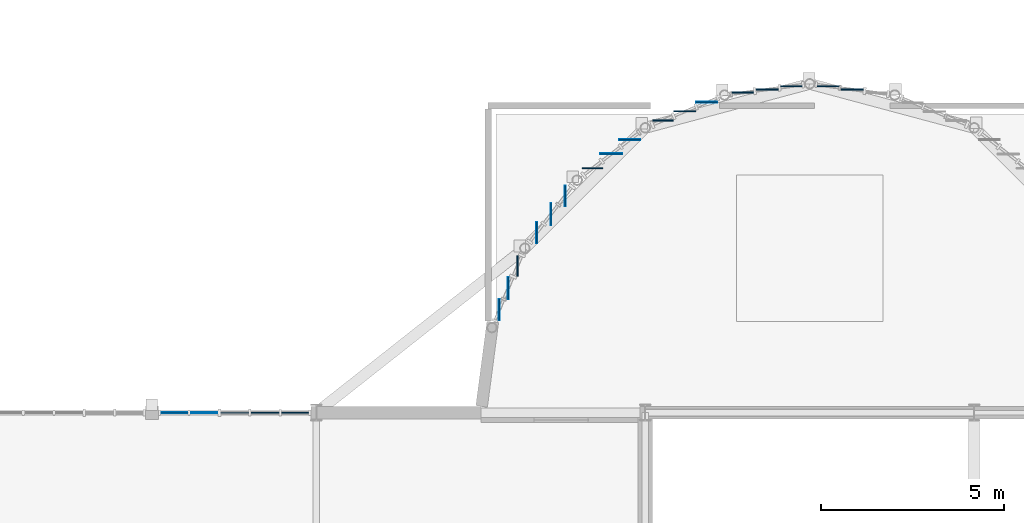
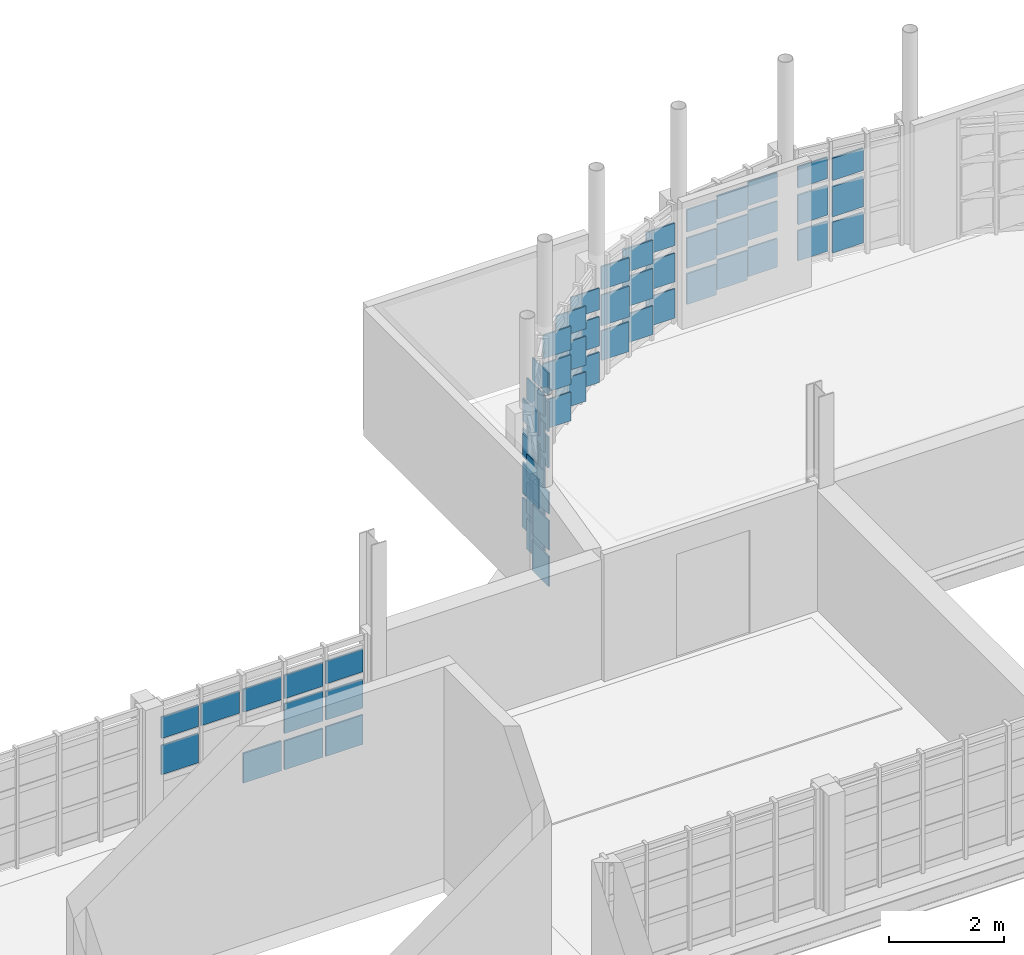
# One storey, part 33 of 44: 62 plates, 7 elements without a shape of their own.
"""IFC4 building model written with IfcOpenShell, lengths in metres."""

from ifc_helpers import new_model, si_unit, direction, frame, origin, origin_2d, place, context, subcontext, project, spatial, rectangle, extrude, material, layer, layer_set, type_object, element, aggregate, save


model = new_model("IFC4")

# Units and contexts
model_context = context("Model", 3, precision=1e-05, world=origin(), true_north=direction((0.0, 1.0)))
body_context = subcontext(model_context, "Body", "Model", "MODEL_VIEW")
ifc_project = project(units=[si_unit("LENGTHUNIT", "METRE"), si_unit("AREAUNIT", "SQUARE_METRE"), si_unit("VOLUMEUNIT", "CUBIC_METRE"), si_unit("PLANEANGLEUNIT", "RADIAN"), si_unit("MASSUNIT", "GRAM", prefix="KILO")], contexts=[model_context])

# Site, building, storey
site_placement = place(None, origin())
site = spatial("IfcSite", under=ifc_project, at=site_placement, CompositionType="ELEMENT")
building_placement = place(site_placement, origin())
building = spatial("IfcBuilding", under=site, at=building_placement, Name="Serraforn Aerial Cableway Station", CompositionType="ELEMENT")
storey_placement = place(building_placement, frame((0.0, 0.0, 13.800048828125)))
storey = spatial("IfcBuildingStorey", under=building, at=storey_placement, Name="L03", CompositionType="ELEMENT", Elevation=13.800048828125)

# Curtain wall, plates
ifc_material_1 = material(Name="Anodised bronze unitised curtain wall")
curtain_wall_type_1 = type_object("IfcCurtainWallType", Name="CW-SYS-19", PredefinedType="USERDEFINED", material=ifc_material_1)
curtain_wall_1_placement = place(storey_placement, origin())
curtain_wall_1 = element("IfcCurtainWall", 1, at=curtain_wall_1_placement, inside=storey, type_object=curtain_wall_type_1, Name="Unitised Curtain Wall CW-CV-L03-N2A", ObjectType="UNITISED CURTAIN WALL", PredefinedType="USERDEFINED")
ifc_material_2 = material(Name="Solar-control low-E double glazing", Category="glass")
ifc_layer_1 = layer(ifc_material_2, 0.02587890625)
ifc_layer_set_1 = layer_set([ifc_layer_1], Name="Solar-control low-E double glazing")
plate_type_1 = type_object("IfcPlateType", Name="CW-GLZ-1", PredefinedType="CURTAIN_PANEL", material=ifc_layer_set_1)
plate_1_placement = place(storey_placement, frame((42.526611328125, 42.0, 1.69775390625), z_axis=(0.0, 0.0, 1.0), x_axis=(1.0, 0.0, 0.0)))
plate_1 = element("IfcPlate", 2, at=plate_1_placement, type_object=plate_type_1, Name="Curtain Wall Panel CW-CV-L03-N2A-P4-3", PredefinedType="CURTAIN_PANEL", context=body_context, shape_type="SweptSolid", body=[
    extrude(rectangle(XDim=0.7734375, YDim=0.02587890625, at=origin_2d()), origin(), (0.0, 0.0, 1.0), 0.473388671875),
])
plate_2_placement = place(storey_placement, frame((41.71337890625, 42.0, 0.9326171875), z_axis=(0.0, 0.0, 1.0), x_axis=(1.0, 0.0, 0.0)))
plate_2 = element("IfcPlate", 3, at=plate_2_placement, type_object=plate_type_1, Name="Curtain Wall Panel CW-CV-L03-N2A-P5-2", PredefinedType="CURTAIN_PANEL", context=body_context, shape_type="SweptSolid", body=[
    extrude(rectangle(XDim=0.7509765625, YDim=0.02587890625, at=origin_2d()), origin(), (0.0, 0.0, 1.0), 0.62646484375),
])

curtain_wall_type_2 = type_object("IfcCurtainWallType", Name="CW-SYS-21", PredefinedType="USERDEFINED", material=ifc_material_1)
curtain_wall_2_placement = place(storey_placement, origin())
curtain_wall_2 = element("IfcCurtainWall", 4, at=curtain_wall_2_placement, inside=storey, type_object=curtain_wall_type_2, Name="Unitised Curtain Wall CW-AP-L03-R2", ObjectType="UNITISED CURTAIN WALL", PredefinedType="USERDEFINED")
plate_3_placement = place(storey_placement, frame((50.854248046875, 45.41015625, 1.69775390625), z_axis=(0.0, 0.0, 1.0), x_axis=(1.0, 0.0, 0.0)))
plate_3 = element("IfcPlate", 5, at=plate_3_placement, type_object=plate_type_1, Name="Curtain Wall Panel CW-AP-L03-R2-P2-3", PredefinedType="CURTAIN_PANEL", context=body_context, shape_type="SweptSolid", body=[
    extrude(rectangle(XDim=0.02587890625, YDim=0.6044921875, at=origin_2d()), origin(), (0.0, 0.0, 1.0), 0.473388671875),
])
plate_4_placement = place(storey_placement, frame((50.60791015625, 44.814697265625, 0.9326171875), z_axis=(0.0, 0.0, 1.0), x_axis=(1.0, 0.0, 0.0)))
plate_4 = element("IfcPlate", 6, at=plate_4_placement, type_object=plate_type_1, Name="Curtain Wall Panel CW-AP-L03-R2-P3-2", PredefinedType="CURTAIN_PANEL", context=body_context, shape_type="SweptSolid", body=[
    extrude(rectangle(XDim=0.02587890625, YDim=0.58203125, at=origin_2d()), origin(), (0.0, 0.0, 1.0), 0.62646484375),
])

curtain_wall_type_3 = type_object("IfcCurtainWallType", Name="CW-SYS-22", PredefinedType="USERDEFINED", material=ifc_material_1)
curtain_wall_3_placement = place(storey_placement, origin())
curtain_wall_3 = element("IfcCurtainWall", 7, at=curtain_wall_3_placement, inside=storey, type_object=curtain_wall_type_3, Name="Unitised Curtain Wall CW-AP-L03-R3", ObjectType="UNITISED CURTAIN WALL", PredefinedType="USERDEFINED")
plate_5_placement = place(storey_placement, frame((52.40625, 47.934326171875, 1.69775390625), z_axis=(0.0, 0.0, 1.0), x_axis=(1.0, 0.0, 0.0)))
plate_5 = element("IfcPlate", 8, at=plate_5_placement, type_object=plate_type_1, Name="Curtain Wall Panel CW-AP-L03-R3-P1-3", PredefinedType="CURTAIN_PANEL", context=body_context, shape_type="SweptSolid", body=[
    extrude(rectangle(XDim=0.02587890625, YDim=0.558349609375, at=origin_2d()), origin(), (0.0, 0.0, 1.0), 0.473388671875),
])
plate_6_placement = place(storey_placement, frame((52.021728515625, 47.43310546875, 0.9326171875), z_axis=(0.0, 0.0, 1.0), x_axis=(1.0, 0.0, 0.0)))
plate_6 = element("IfcPlate", 9, at=plate_6_placement, type_object=plate_type_1, Name="Curtain Wall Panel CW-AP-L03-R3-P2-2", PredefinedType="CURTAIN_PANEL", context=body_context, shape_type="SweptSolid", body=[
    extrude(rectangle(XDim=0.02587890625, YDim=0.603515625, at=origin_2d()), origin(), (0.0, 0.0, 1.0), 0.62646484375),
])
plate_7_placement = place(storey_placement, frame((51.631591796875, 46.9248046875, 0.16748046875), z_axis=(0.0, 0.0, 1.0), x_axis=(1.0, 0.0, 0.0)))
plate_7 = element("IfcPlate", 10, at=plate_7_placement, type_object=plate_type_1, Name="Curtain Wall Panel CW-AP-L03-R3-P3-1", PredefinedType="CURTAIN_PANEL", context=body_context, shape_type="SweptSolid", body=[
    extrude(rectangle(XDim=0.02587890625, YDim=0.56591796875, at=origin_2d()), origin(), (0.0, 0.0, 1.0), 0.62646484375),
])

curtain_wall_type_4 = type_object("IfcCurtainWallType", Name="CW-SYS-23", PredefinedType="USERDEFINED", material=ifc_material_1)
curtain_wall_4_placement = place(storey_placement, origin())
curtain_wall_4 = element("IfcCurtainWall", 11, at=curtain_wall_4_placement, inside=storey, type_object=curtain_wall_type_4, Name="Unitised Curtain Wall CW-AP-L03-R4", ObjectType="UNITISED CURTAIN WALL", PredefinedType="USERDEFINED")
plate_8_placement = place(storey_placement, frame((54.17919921875, 49.471435546875, 0.9326171875), z_axis=(0.0, 0.0, 1.0), x_axis=(1.0, 0.0, 0.0)))
plate_8 = element("IfcPlate", 12, at=plate_8_placement, type_object=plate_type_1, Name="Curtain Wall Panel CW-AP-L03-R4-P1-2", PredefinedType="CURTAIN_PANEL", context=body_context, shape_type="SweptSolid", body=[
    extrude(rectangle(XDim=0.575927734375, YDim=0.02587890625, at=origin_2d()), origin(), (0.0, 0.0, 1.0), 0.62646484375),
])
plate_9_placement = place(storey_placement, frame((53.6689453125, 49.079833984375, 0.16748046875), z_axis=(0.0, 0.0, 1.0), x_axis=(1.0, 0.0, 0.0)))
plate_9 = element("IfcPlate", 13, at=plate_9_placement, type_object=plate_type_1, Name="Curtain Wall Panel CW-AP-L03-R4-P2-1", PredefinedType="CURTAIN_PANEL", context=body_context, shape_type="SweptSolid", body=[
    extrude(rectangle(XDim=0.598388671875, YDim=0.02587890625, at=origin_2d()), origin(), (0.0, 0.0, 1.0), 0.62646484375),
])

# Curtain wall, plate
curtain_wall_type_5 = type_object("IfcCurtainWallType", Name="CW-SYS-24", PredefinedType="USERDEFINED", material=ifc_material_1)
curtain_wall_5_placement = place(storey_placement, origin())
curtain_wall_5 = element("IfcCurtainWall", 14, at=curtain_wall_5_placement, inside=storey, type_object=curtain_wall_type_5, Name="Unitised Curtain Wall CW-AP-L03-R5", ObjectType="UNITISED CURTAIN WALL", PredefinedType="USERDEFINED")
plate_10_placement = place(storey_placement, frame((56.28759765625, 50.4931640625, 0.16748046875), z_axis=(0.0, 0.0, 1.0), x_axis=(1.0, 0.0, 0.0)))
plate_10 = element("IfcPlate", 15, at=plate_10_placement, type_object=plate_type_1, Name="Curtain Wall Panel CW-AP-L03-R5-P1-1", PredefinedType="CURTAIN_PANEL", context=body_context, shape_type="SweptSolid", body=[
    extrude(rectangle(XDim=0.5771484375, YDim=0.02587890625, at=origin_2d()), origin(), (0.0, 0.0, 1.0), 0.62646484375),
])

# Plate
ifc_layer_2 = layer(ifc_material_2, 0.028076171875)
ifc_layer_set_2 = layer_set([ifc_layer_2], Name="Solar-control low-E double glazing")
plate_type_2 = type_object("IfcPlateType", Name="CW-GLZ-2", PredefinedType="CURTAIN_PANEL", material=ifc_layer_set_2)
plate_11_placement = place(storey_placement, frame((41.71337890625, 42.0, 1.704833984375), z_axis=(0.0, 0.0, 1.0), x_axis=(1.0, 0.0, 0.0)))
plate_11 = element("IfcPlate", 16, at=plate_11_placement, type_object=plate_type_2, Name="Curtain Wall Panel CW-CV-L03-N2A-P5-3", PredefinedType="CURTAIN_PANEL", context=body_context, shape_type="SweptSolid", body=[
    extrude(rectangle(XDim=0.7509765625, YDim=0.028076171875, at=origin_2d()), origin(), (0.0, 0.0, 1.0), 0.45849609375),
])

plate_12_placement = place(storey_placement, frame((50.60791015625, 44.814697265625, 1.704833984375), z_axis=(0.0, 0.0, 1.0), x_axis=(1.0, 0.0, 0.0)))
plate_12 = element("IfcPlate", 17, at=plate_12_placement, type_object=plate_type_2, Name="Curtain Wall Panel CW-AP-L03-R2-P3-3", PredefinedType="CURTAIN_PANEL", context=body_context, shape_type="SweptSolid", body=[
    extrude(rectangle(XDim=0.028076171875, YDim=0.58203125, at=origin_2d()), origin(), (0.0, 0.0, 1.0), 0.45849609375),
])

plate_13_placement = place(storey_placement, frame((52.021728515625, 47.43310546875, 1.704833984375), z_axis=(0.0, 0.0, 1.0), x_axis=(1.0, 0.0, 0.0)))
plate_13 = element("IfcPlate", 18, at=plate_13_placement, type_object=plate_type_2, Name="Curtain Wall Panel CW-AP-L03-R3-P2-3", PredefinedType="CURTAIN_PANEL", context=body_context, shape_type="SweptSolid", body=[
    extrude(rectangle(XDim=0.028076171875, YDim=0.603515625, at=origin_2d()), origin(), (0.0, 0.0, 1.0), 0.45849609375),
])

plate_14_placement = place(storey_placement, frame((51.631591796875, 46.9248046875, 0.93994140625), z_axis=(0.0, 0.0, 1.0), x_axis=(1.0, 0.0, 0.0)))
plate_14 = element("IfcPlate", 19, at=plate_14_placement, type_object=plate_type_2, Name="Curtain Wall Panel CW-AP-L03-R3-P3-2", PredefinedType="CURTAIN_PANEL", context=body_context, shape_type="SweptSolid", body=[
    extrude(rectangle(XDim=0.028076171875, YDim=0.56591796875, at=origin_2d()), origin(), (0.0, 0.0, 1.0), 0.611572265625),
])

plate_15_placement = place(storey_placement, frame((54.17919921875, 49.471435546875, 1.704833984375), z_axis=(0.0, 0.0, 1.0), x_axis=(1.0, 0.0, 0.0)))
plate_15 = element("IfcPlate", 20, at=plate_15_placement, type_object=plate_type_2, Name="Curtain Wall Panel CW-AP-L03-R4-P1-3", PredefinedType="CURTAIN_PANEL", context=body_context, shape_type="SweptSolid", body=[
    extrude(rectangle(XDim=0.575927734375, YDim=0.028076171875, at=origin_2d()), origin(), (0.0, 0.0, 1.0), 0.45849609375),
])

plate_16_placement = place(storey_placement, frame((53.6689453125, 49.079833984375, 0.93994140625), z_axis=(0.0, 0.0, 1.0), x_axis=(1.0, 0.0, 0.0)))
plate_16 = element("IfcPlate", 21, at=plate_16_placement, type_object=plate_type_2, Name="Curtain Wall Panel CW-AP-L03-R4-P2-2", PredefinedType="CURTAIN_PANEL", context=body_context, shape_type="SweptSolid", body=[
    extrude(rectangle(XDim=0.598388671875, YDim=0.028076171875, at=origin_2d()), origin(), (0.0, 0.0, 1.0), 0.611572265625),
])

plate_17_placement = place(storey_placement, frame((53.16162109375, 48.690673828125, 0.1748046875), z_axis=(0.0, 0.0, 1.0), x_axis=(1.0, 0.0, 0.0)))
plate_17 = element("IfcPlate", 22, at=plate_17_placement, type_object=plate_type_2, Name="Curtain Wall Panel CW-AP-L03-R4-P3-1", PredefinedType="CURTAIN_PANEL", context=body_context, shape_type="SweptSolid", body=[
    extrude(rectangle(XDim=0.558349609375, YDim=0.028076171875, at=origin_2d()), origin(), (0.0, 0.0, 1.0), 0.611572265625),
])

plate_18_placement = place(storey_placement, frame((56.28759765625, 50.4931640625, 0.93994140625), z_axis=(0.0, 0.0, 1.0), x_axis=(1.0, 0.0, 0.0)))
plate_18 = element("IfcPlate", 23, at=plate_18_placement, type_object=plate_type_2, Name="Curtain Wall Panel CW-AP-L03-R5-P1-2", PredefinedType="CURTAIN_PANEL", context=body_context, shape_type="SweptSolid", body=[
    extrude(rectangle(XDim=0.5771484375, YDim=0.028076171875, at=origin_2d()), origin(), (0.0, 0.0, 1.0), 0.611572265625),
])

plate_19_placement = place(storey_placement, frame((55.6865234375, 50.244140625, 0.1748046875), z_axis=(0.0, 0.0, 1.0), x_axis=(1.0, 0.0, 0.0)))
plate_19 = element("IfcPlate", 24, at=plate_19_placement, type_object=plate_type_2, Name="Curtain Wall Panel CW-AP-L03-R5-P2-1", PredefinedType="CURTAIN_PANEL", context=body_context, shape_type="SweptSolid", body=[
    extrude(rectangle(XDim=0.60205078125, YDim=0.028076171875, at=origin_2d()), origin(), (0.0, 0.0, 1.0), 0.611572265625),
])

# Curtain wall, plate
curtain_wall_type_6 = type_object("IfcCurtainWallType", Name="CW-SYS-25", PredefinedType="USERDEFINED", material=ifc_material_1)
curtain_wall_6_placement = place(storey_placement, origin())
curtain_wall_6 = element("IfcCurtainWall", 25, at=curtain_wall_6_placement, inside=storey, type_object=curtain_wall_type_6, Name="Unitised Curtain Wall CW-AP-L03-R6", ObjectType="UNITISED CURTAIN WALL", PredefinedType="USERDEFINED")
plate_20_placement = place(storey_placement, frame((58.596923828125, 50.933837890625, 0.1748046875), z_axis=(0.0, 0.0, 1.0), x_axis=(1.0, 0.0, 0.0)))
plate_20 = element("IfcPlate", 26, at=plate_20_placement, type_object=plate_type_2, Name="Curtain Wall Panel CW-AP-L03-R6-P1-1", PredefinedType="CURTAIN_PANEL", context=body_context, shape_type="SweptSolid", body=[
    extrude(rectangle(XDim=0.58642578125, YDim=0.028076171875, at=origin_2d()), origin(), (0.0, 0.0, 1.0), 0.611572265625),
])

# Plate
ifc_layer_3 = layer(ifc_material_2, 0.030029296875)
ifc_layer_set_3 = layer_set([ifc_layer_3], Name="Solar-control low-E double glazing")
plate_type_3 = type_object("IfcPlateType", Name="CW-GLZ-3", PredefinedType="CURTAIN_PANEL", material=ifc_layer_set_3)
plate_21_placement = place(storey_placement, frame((51.631591796875, 46.9248046875, 1.71240234375), z_axis=(0.0, 0.0, 1.0), x_axis=(1.0, 0.0, 0.0)))
plate_21 = element("IfcPlate", 27, at=plate_21_placement, type_object=plate_type_3, Name="Curtain Wall Panel CW-AP-L03-R3-P3-3", PredefinedType="CURTAIN_PANEL", context=body_context, shape_type="SweptSolid", body=[
    extrude(rectangle(XDim=0.030029296875, YDim=0.56591796875, at=origin_2d()), origin(), (0.0, 0.0, 1.0), 0.478515625),
])

plate_22_placement = place(storey_placement, frame((53.6689453125, 49.079833984375, 1.71240234375), z_axis=(0.0, 0.0, 1.0), x_axis=(1.0, 0.0, 0.0)))
plate_22 = element("IfcPlate", 28, at=plate_22_placement, type_object=plate_type_3, Name="Curtain Wall Panel CW-AP-L03-R4-P2-3", PredefinedType="CURTAIN_PANEL", context=body_context, shape_type="SweptSolid", body=[
    extrude(rectangle(XDim=0.598388671875, YDim=0.030029296875, at=origin_2d()), origin(), (0.0, 0.0, 1.0), 0.478515625),
])

plate_23_placement = place(storey_placement, frame((53.16162109375, 48.690673828125, 0.947265625), z_axis=(0.0, 0.0, 1.0), x_axis=(1.0, 0.0, 0.0)))
plate_23 = element("IfcPlate", 29, at=plate_23_placement, type_object=plate_type_3, Name="Curtain Wall Panel CW-AP-L03-R4-P3-2", PredefinedType="CURTAIN_PANEL", context=body_context, shape_type="SweptSolid", body=[
    extrude(rectangle(XDim=0.558349609375, YDim=0.030029296875, at=origin_2d()), origin(), (0.0, 0.0, 1.0), 0.631591796875),
])

plate_24_placement = place(storey_placement, frame((56.28759765625, 50.4931640625, 1.71240234375), z_axis=(0.0, 0.0, 1.0), x_axis=(1.0, 0.0, 0.0)))
plate_24 = element("IfcPlate", 30, at=plate_24_placement, type_object=plate_type_3, Name="Curtain Wall Panel CW-AP-L03-R5-P1-3", PredefinedType="CURTAIN_PANEL", context=body_context, shape_type="SweptSolid", body=[
    extrude(rectangle(XDim=0.5771484375, YDim=0.030029296875, at=origin_2d()), origin(), (0.0, 0.0, 1.0), 0.478515625),
])

plate_25_placement = place(storey_placement, frame((55.6865234375, 50.244140625, 0.947265625), z_axis=(0.0, 0.0, 1.0), x_axis=(1.0, 0.0, 0.0)))
plate_25 = element("IfcPlate", 31, at=plate_25_placement, type_object=plate_type_3, Name="Curtain Wall Panel CW-AP-L03-R5-P2-2", PredefinedType="CURTAIN_PANEL", context=body_context, shape_type="SweptSolid", body=[
    extrude(rectangle(XDim=0.60205078125, YDim=0.030029296875, at=origin_2d()), origin(), (0.0, 0.0, 1.0), 0.631591796875),
])

plate_26_placement = place(storey_placement, frame((55.0888671875, 49.99658203125, 0.18212890625), z_axis=(0.0, 0.0, 1.0), x_axis=(1.0, 0.0, 0.0)))
plate_26 = element("IfcPlate", 32, at=plate_26_placement, type_object=plate_type_3, Name="Curtain Wall Panel CW-AP-L03-R5-P3-1", PredefinedType="CURTAIN_PANEL", context=body_context, shape_type="SweptSolid", body=[
    extrude(rectangle(XDim=0.5595703125, YDim=0.030029296875, at=origin_2d()), origin(), (0.0, 0.0, 1.0), 0.631591796875),
])

plate_27_placement = place(storey_placement, frame((58.596923828125, 50.933837890625, 0.947265625), z_axis=(0.0, 0.0, 1.0), x_axis=(1.0, 0.0, 0.0)))
plate_27 = element("IfcPlate", 33, at=plate_27_placement, type_object=plate_type_3, Name="Curtain Wall Panel CW-AP-L03-R6-P1-2", PredefinedType="CURTAIN_PANEL", context=body_context, shape_type="SweptSolid", body=[
    extrude(rectangle(XDim=0.58642578125, YDim=0.030029296875, at=origin_2d()), origin(), (0.0, 0.0, 1.0), 0.631591796875),
])

plate_28_placement = place(storey_placement, frame((57.9365234375, 50.8466796875, 0.18212890625), z_axis=(0.0, 0.0, 1.0), x_axis=(1.0, 0.0, 0.0)))
plate_28 = element("IfcPlate", 34, at=plate_28_placement, type_object=plate_type_3, Name="Curtain Wall Panel CW-AP-L03-R6-P2-1", PredefinedType="CURTAIN_PANEL", context=body_context, shape_type="SweptSolid", body=[
    extrude(rectangle(XDim=0.614013671875, YDim=0.030029296875, at=origin_2d()), origin(), (0.0, 0.0, 1.0), 0.631591796875),
])

ifc_layer_4 = layer(ifc_material_2, 0.031982421875)
ifc_layer_set_4 = layer_set([ifc_layer_4], Name="Solar-control low-E double glazing")
plate_type_4 = type_object("IfcPlateType", Name="CW-GLZ-4", PredefinedType="CURTAIN_PANEL", material=ifc_layer_set_4)
plate_29_placement = place(storey_placement, frame((45.02099609375, 42.0, 0.16748046875), z_axis=(0.0, 0.0, 1.0), x_axis=(1.0, 0.0, 0.0)))
plate_29 = element("IfcPlate", 35, at=plate_29_placement, type_object=plate_type_4, Name="Curtain Wall Panel CW-CV-L03-N2A-P1-1", PredefinedType="CURTAIN_PANEL", context=body_context, shape_type="SweptSolid", body=[
    extrude(rectangle(XDim=0.745849609375, YDim=0.031982421875, at=origin_2d()), origin(), (0.0, 0.0, 1.0), 0.62646484375),
])

plate_30_placement = place(storey_placement, frame((53.16162109375, 48.690673828125, 1.68505859375), z_axis=(0.0, 0.0, 1.0), x_axis=(1.0, 0.0, 0.0)))
plate_30 = element("IfcPlate", 36, at=plate_30_placement, type_object=plate_type_4, Name="Curtain Wall Panel CW-AP-L03-R4-P3-3", PredefinedType="CURTAIN_PANEL", context=body_context, shape_type="SweptSolid", body=[
    extrude(rectangle(XDim=0.558349609375, YDim=0.031982421875, at=origin_2d()), origin(), (0.0, 0.0, 1.0), 0.5009765625),
])

plate_31_placement = place(storey_placement, frame((55.6865234375, 50.244140625, 1.68505859375), z_axis=(0.0, 0.0, 1.0), x_axis=(1.0, 0.0, 0.0)))
plate_31 = element("IfcPlate", 37, at=plate_31_placement, type_object=plate_type_4, Name="Curtain Wall Panel CW-AP-L03-R5-P2-3", PredefinedType="CURTAIN_PANEL", context=body_context, shape_type="SweptSolid", body=[
    extrude(rectangle(XDim=0.60205078125, YDim=0.031982421875, at=origin_2d()), origin(), (0.0, 0.0, 1.0), 0.5009765625),
])

plate_32_placement = place(storey_placement, frame((55.0888671875, 49.99658203125, 0.919921875), z_axis=(0.0, 0.0, 1.0), x_axis=(1.0, 0.0, 0.0)))
plate_32 = element("IfcPlate", 38, at=plate_32_placement, type_object=plate_type_4, Name="Curtain Wall Panel CW-AP-L03-R5-P3-2", PredefinedType="CURTAIN_PANEL", context=body_context, shape_type="SweptSolid", body=[
    extrude(rectangle(XDim=0.5595703125, YDim=0.031982421875, at=origin_2d()), origin(), (0.0, 0.0, 1.0), 0.654052734375),
])

plate_33_placement = place(storey_placement, frame((58.596923828125, 50.933837890625, 1.68505859375), z_axis=(0.0, 0.0, 1.0), x_axis=(1.0, 0.0, 0.0)))
plate_33 = element("IfcPlate", 39, at=plate_33_placement, type_object=plate_type_4, Name="Curtain Wall Panel CW-AP-L03-R6-P1-3", PredefinedType="CURTAIN_PANEL", context=body_context, shape_type="SweptSolid", body=[
    extrude(rectangle(XDim=0.58642578125, YDim=0.031982421875, at=origin_2d()), origin(), (0.0, 0.0, 1.0), 0.5009765625),
])

plate_34_placement = place(storey_placement, frame((57.9365234375, 50.8466796875, 0.919921875), z_axis=(0.0, 0.0, 1.0), x_axis=(1.0, 0.0, 0.0)))
plate_34 = element("IfcPlate", 40, at=plate_34_placement, type_object=plate_type_4, Name="Curtain Wall Panel CW-AP-L03-R6-P2-2", PredefinedType="CURTAIN_PANEL", context=body_context, shape_type="SweptSolid", body=[
    extrude(rectangle(XDim=0.614013671875, YDim=0.031982421875, at=origin_2d()), origin(), (0.0, 0.0, 1.0), 0.654052734375),
])

plate_35_placement = place(storey_placement, frame((57.267333984375, 50.7587890625, 0.15478515625), z_axis=(0.0, 0.0, 1.0), x_axis=(1.0, 0.0, 0.0)))
plate_35 = element("IfcPlate", 41, at=plate_35_placement, type_object=plate_type_4, Name="Curtain Wall Panel CW-AP-L03-R6-P3-1", PredefinedType="CURTAIN_PANEL", context=body_context, shape_type="SweptSolid", body=[
    extrude(rectangle(XDim=0.593994140625, YDim=0.031982421875, at=origin_2d()), origin(), (0.0, 0.0, 1.0), 0.654052734375),
])

# Curtain wall, plate
curtain_wall_type_7 = type_object("IfcCurtainWallType", Name="CW-SYS-26", PredefinedType="USERDEFINED", material=ifc_material_1)
curtain_wall_7_placement = place(storey_placement, origin())
curtain_wall_7 = element("IfcCurtainWall", 42, at=curtain_wall_7_placement, inside=storey, type_object=curtain_wall_type_7, Name="Unitised Curtain Wall CW-AP-L03-R7", ObjectType="UNITISED CURTAIN WALL", PredefinedType="USERDEFINED")
plate_36_placement = place(storey_placement, frame((60.259765625, 50.847412109375, 0.15478515625), z_axis=(0.0, 0.0, 1.0), x_axis=(1.0, 0.0, 0.0)))
plate_36 = element("IfcPlate", 43, at=plate_36_placement, type_object=plate_type_4, Name="Curtain Wall Panel CW-AP-L03-R7-P2-1", PredefinedType="CURTAIN_PANEL", context=body_context, shape_type="SweptSolid", body=[
    extrude(rectangle(XDim=0.621337890625, YDim=0.031982421875, at=origin_2d()), origin(), (0.0, 0.0, 1.0), 0.654052734375),
])

# Plate
ifc_layer_5 = layer(ifc_material_2, 0.033935546875)
ifc_layer_set_5 = layer_set([ifc_layer_5], Name="Solar-control low-E double glazing")
plate_type_5 = type_object("IfcPlateType", Name="CW-GLZ-5", PredefinedType="CURTAIN_PANEL", material=ifc_layer_set_5)
plate_37_placement = place(storey_placement, frame((45.02099609375, 42.0, 0.93994140625), z_axis=(0.0, 0.0, 1.0), x_axis=(1.0, 0.0, 0.0)))
plate_37 = element("IfcPlate", 44, at=plate_37_placement, type_object=plate_type_5, Name="Curtain Wall Panel CW-CV-L03-N2A-P1-2", PredefinedType="CURTAIN_PANEL", context=body_context, shape_type="SweptSolid", body=[
    extrude(rectangle(XDim=0.745849609375, YDim=0.033935546875, at=origin_2d()), origin(), (0.0, 0.0, 1.0), 0.611572265625),
])

plate_38_placement = place(storey_placement, frame((44.20166015625, 42.0, 0.1748046875), z_axis=(0.0, 0.0, 1.0), x_axis=(1.0, 0.0, 0.0)))
plate_38 = element("IfcPlate", 45, at=plate_38_placement, type_object=plate_type_5, Name="Curtain Wall Panel CW-CV-L03-N2A-P2-1", PredefinedType="CURTAIN_PANEL", context=body_context, shape_type="SweptSolid", body=[
    extrude(rectangle(XDim=0.77099609375, YDim=0.033935546875, at=origin_2d()), origin(), (0.0, 0.0, 1.0), 0.611572265625),
])

plate_39_placement = place(storey_placement, frame((55.0888671875, 49.99658203125, 1.68994140625), z_axis=(0.0, 0.0, 1.0), x_axis=(1.0, 0.0, 0.0)))
plate_39 = element("IfcPlate", 46, at=plate_39_placement, type_object=plate_type_5, Name="Curtain Wall Panel CW-AP-L03-R5-P3-3", PredefinedType="CURTAIN_PANEL", context=body_context, shape_type="SweptSolid", body=[
    extrude(rectangle(XDim=0.5595703125, YDim=0.033935546875, at=origin_2d()), origin(), (0.0, 0.0, 1.0), 0.488525390625),
])

aggregate(curtain_wall_5, [plate_10, plate_18, plate_24, plate_19, plate_25, plate_31, plate_26, plate_32, plate_39])

plate_40_placement = place(storey_placement, frame((57.9365234375, 50.8466796875, 1.68994140625), z_axis=(0.0, 0.0, 1.0), x_axis=(1.0, 0.0, 0.0)))
plate_40 = element("IfcPlate", 47, at=plate_40_placement, type_object=plate_type_5, Name="Curtain Wall Panel CW-AP-L03-R6-P2-3", PredefinedType="CURTAIN_PANEL", context=body_context, shape_type="SweptSolid", body=[
    extrude(rectangle(XDim=0.614013671875, YDim=0.033935546875, at=origin_2d()), origin(), (0.0, 0.0, 1.0), 0.488525390625),
])

plate_41_placement = place(storey_placement, frame((57.267333984375, 50.7587890625, 0.9248046875), z_axis=(0.0, 0.0, 1.0), x_axis=(1.0, 0.0, 0.0)))
plate_41 = element("IfcPlate", 48, at=plate_41_placement, type_object=plate_type_5, Name="Curtain Wall Panel CW-AP-L03-R6-P3-2", PredefinedType="CURTAIN_PANEL", context=body_context, shape_type="SweptSolid", body=[
    extrude(rectangle(XDim=0.593994140625, YDim=0.033935546875, at=origin_2d()), origin(), (0.0, 0.0, 1.0), 0.6416015625),
])

plate_42_placement = place(storey_placement, frame((60.259765625, 50.847412109375, 0.9248046875), z_axis=(0.0, 0.0, 1.0), x_axis=(1.0, 0.0, 0.0)))
plate_42 = element("IfcPlate", 49, at=plate_42_placement, type_object=plate_type_5, Name="Curtain Wall Panel CW-AP-L03-R7-P2-2", PredefinedType="CURTAIN_PANEL", context=body_context, shape_type="SweptSolid", body=[
    extrude(rectangle(XDim=0.621337890625, YDim=0.033935546875, at=origin_2d()), origin(), (0.0, 0.0, 1.0), 0.6416015625),
])

plate_43_placement = place(storey_placement, frame((59.604248046875, 50.93359375, 0.159912109375), z_axis=(0.0, 0.0, 1.0), x_axis=(1.0, 0.0, 0.0)))
plate_43 = element("IfcPlate", 50, at=plate_43_placement, type_object=plate_type_5, Name="Curtain Wall Panel CW-AP-L03-R7-P3-1", PredefinedType="CURTAIN_PANEL", context=body_context, shape_type="SweptSolid", body=[
    extrude(rectangle(XDim=0.598876953125, YDim=0.033935546875, at=origin_2d()), origin(), (0.0, 0.0, 1.0), 0.6416015625),
])

ifc_layer_6 = layer(ifc_material_2, 0.035888671875)
ifc_layer_set_6 = layer_set([ifc_layer_6], Name="Solar-control low-E double glazing")
plate_type_6 = type_object("IfcPlateType", Name="CW-GLZ-6", PredefinedType="CURTAIN_PANEL", material=ifc_layer_set_6)
plate_44_placement = place(storey_placement, frame((45.02099609375, 42.0, 1.71240234375), z_axis=(0.0, 0.0, 1.0), x_axis=(1.0, 0.0, 0.0)))
plate_44 = element("IfcPlate", 51, at=plate_44_placement, type_object=plate_type_6, Name="Curtain Wall Panel CW-CV-L03-N2A-P1-3", PredefinedType="CURTAIN_PANEL", context=body_context, shape_type="SweptSolid", body=[
    extrude(rectangle(XDim=0.745849609375, YDim=0.035888671875, at=origin_2d()), origin(), (0.0, 0.0, 1.0), 0.478515625),
])

plate_45_placement = place(storey_placement, frame((44.20166015625, 42.0, 0.947265625), z_axis=(0.0, 0.0, 1.0), x_axis=(1.0, 0.0, 0.0)))
plate_45 = element("IfcPlate", 52, at=plate_45_placement, type_object=plate_type_6, Name="Curtain Wall Panel CW-CV-L03-N2A-P2-2", PredefinedType="CURTAIN_PANEL", context=body_context, shape_type="SweptSolid", body=[
    extrude(rectangle(XDim=0.77099609375, YDim=0.035888671875, at=origin_2d()), origin(), (0.0, 0.0, 1.0), 0.631591796875),
])

plate_46_placement = place(storey_placement, frame((43.3671875, 42.0, 0.18212890625), z_axis=(0.0, 0.0, 1.0), x_axis=(1.0, 0.0, 0.0)))
plate_46 = element("IfcPlate", 53, at=plate_46_placement, type_object=plate_type_6, Name="Curtain Wall Panel CW-CV-L03-N2A-P3-1", PredefinedType="CURTAIN_PANEL", context=body_context, shape_type="SweptSolid", body=[
    extrude(rectangle(XDim=0.765869140625, YDim=0.035888671875, at=origin_2d()), origin(), (0.0, 0.0, 1.0), 0.631591796875),
])

plate_47_placement = place(storey_placement, frame((51.104736328125, 46.0146484375, 0.18212890625), z_axis=(0.0, 0.0, 1.0), x_axis=(1.0, 0.0, 0.0)))
plate_47 = element("IfcPlate", 54, at=plate_47_placement, type_object=plate_type_6, Name="Curtain Wall Panel CW-AP-L03-R2-P1-1", PredefinedType="CURTAIN_PANEL", context=body_context, shape_type="SweptSolid", body=[
    extrude(rectangle(XDim=0.035888671875, YDim=0.56201171875, at=origin_2d()), origin(), (0.0, 0.0, 1.0), 0.631591796875),
])

plate_48_placement = place(storey_placement, frame((57.267333984375, 50.7587890625, 1.69775390625), z_axis=(0.0, 0.0, 1.0), x_axis=(1.0, 0.0, 0.0)))
plate_48 = element("IfcPlate", 55, at=plate_48_placement, type_object=plate_type_6, Name="Curtain Wall Panel CW-AP-L03-R6-P3-3", PredefinedType="CURTAIN_PANEL", context=body_context, shape_type="SweptSolid", body=[
    extrude(rectangle(XDim=0.593994140625, YDim=0.035888671875, at=origin_2d()), origin(), (0.0, 0.0, 1.0), 0.473388671875),
])

aggregate(curtain_wall_6, [plate_20, plate_27, plate_33, plate_28, plate_34, plate_40, plate_35, plate_41, plate_48])

plate_49_placement = place(storey_placement, frame((60.259765625, 50.847412109375, 1.69775390625), z_axis=(0.0, 0.0, 1.0), x_axis=(1.0, 0.0, 0.0)))
plate_49 = element("IfcPlate", 56, at=plate_49_placement, type_object=plate_type_6, Name="Curtain Wall Panel CW-AP-L03-R7-P2-3", PredefinedType="CURTAIN_PANEL", context=body_context, shape_type="SweptSolid", body=[
    extrude(rectangle(XDim=0.621337890625, YDim=0.035888671875, at=origin_2d()), origin(), (0.0, 0.0, 1.0), 0.473388671875),
])

plate_50_placement = place(storey_placement, frame((59.604248046875, 50.93359375, 0.9326171875), z_axis=(0.0, 0.0, 1.0), x_axis=(1.0, 0.0, 0.0)))
plate_50 = element("IfcPlate", 57, at=plate_50_placement, type_object=plate_type_6, Name="Curtain Wall Panel CW-AP-L03-R7-P3-2", PredefinedType="CURTAIN_PANEL", context=body_context, shape_type="SweptSolid", body=[
    extrude(rectangle(XDim=0.598876953125, YDim=0.035888671875, at=origin_2d()), origin(), (0.0, 0.0, 1.0), 0.62646484375),
])

ifc_layer_7 = layer(ifc_material_2, 0.029052734375)
ifc_layer_set_7 = layer_set([ifc_layer_7], Name="Solar-control low-E double glazing")
plate_type_7 = type_object("IfcPlateType", Name="CW-GLZ-7", PredefinedType="CURTAIN_PANEL", material=ifc_layer_set_7)
plate_51_placement = place(storey_placement, frame((44.20166015625, 42.0, 1.68505859375), z_axis=(0.0, 0.0, 1.0), x_axis=(1.0, 0.0, 0.0)))
plate_51 = element("IfcPlate", 58, at=plate_51_placement, type_object=plate_type_7, Name="Curtain Wall Panel CW-CV-L03-N2A-P2-3", PredefinedType="CURTAIN_PANEL", context=body_context, shape_type="SweptSolid", body=[
    extrude(rectangle(XDim=0.77099609375, YDim=0.029052734375, at=origin_2d()), origin(), (0.0, 0.0, 1.0), 0.5009765625),
])

plate_52_placement = place(storey_placement, frame((51.104736328125, 46.0146484375, 0.919921875), z_axis=(0.0, 0.0, 1.0), x_axis=(1.0, 0.0, 0.0)))
plate_52 = element("IfcPlate", 59, at=plate_52_placement, type_object=plate_type_7, Name="Curtain Wall Panel CW-AP-L03-R2-P1-2", PredefinedType="CURTAIN_PANEL", context=body_context, shape_type="SweptSolid", body=[
    extrude(rectangle(XDim=0.029052734375, YDim=0.56201171875, at=origin_2d()), origin(), (0.0, 0.0, 1.0), 0.654052734375),
])

plate_53_placement = place(storey_placement, frame((50.854248046875, 45.41015625, 0.15478515625), z_axis=(0.0, 0.0, 1.0), x_axis=(1.0, 0.0, 0.0)))
plate_53 = element("IfcPlate", 60, at=plate_53_placement, type_object=plate_type_7, Name="Curtain Wall Panel CW-AP-L03-R2-P2-1", PredefinedType="CURTAIN_PANEL", context=body_context, shape_type="SweptSolid", body=[
    extrude(rectangle(XDim=0.029052734375, YDim=0.6044921875, at=origin_2d()), origin(), (0.0, 0.0, 1.0), 0.654052734375),
])

plate_54_placement = place(storey_placement, frame((52.40625, 47.934326171875, 0.15478515625), z_axis=(0.0, 0.0, 1.0), x_axis=(1.0, 0.0, 0.0)))
plate_54 = element("IfcPlate", 61, at=plate_54_placement, type_object=plate_type_7, Name="Curtain Wall Panel CW-AP-L03-R3-P1-1", PredefinedType="CURTAIN_PANEL", context=body_context, shape_type="SweptSolid", body=[
    extrude(rectangle(XDim=0.029052734375, YDim=0.558349609375, at=origin_2d()), origin(), (0.0, 0.0, 1.0), 0.654052734375),
])

plate_55_placement = place(storey_placement, frame((59.604248046875, 50.93359375, 1.704833984375), z_axis=(0.0, 0.0, 1.0), x_axis=(1.0, 0.0, 0.0)))
plate_55 = element("IfcPlate", 62, at=plate_55_placement, type_object=plate_type_7, Name="Curtain Wall Panel CW-AP-L03-R7-P3-3", PredefinedType="CURTAIN_PANEL", context=body_context, shape_type="SweptSolid", body=[
    extrude(rectangle(XDim=0.598876953125, YDim=0.029052734375, at=origin_2d()), origin(), (0.0, 0.0, 1.0), 0.45849609375),
])

aggregate(curtain_wall_7, [plate_36, plate_42, plate_49, plate_43, plate_50, plate_55])

ifc_layer_8 = layer(ifc_material_2, 0.031005859375)
ifc_layer_set_8 = layer_set([ifc_layer_8], Name="Solar-control low-E double glazing")
plate_type_8 = type_object("IfcPlateType", Name="CW-GLZ-8", PredefinedType="CURTAIN_PANEL", material=ifc_layer_set_8)
plate_56_placement = place(storey_placement, frame((43.3671875, 42.0, 1.68994140625), z_axis=(0.0, 0.0, 1.0), x_axis=(1.0, 0.0, 0.0)))
plate_56 = element("IfcPlate", 63, at=plate_56_placement, type_object=plate_type_8, Name="Curtain Wall Panel CW-CV-L03-N2A-P3-3", PredefinedType="CURTAIN_PANEL", context=body_context, shape_type="SweptSolid", body=[
    extrude(rectangle(XDim=0.765869140625, YDim=0.031005859375, at=origin_2d()), origin(), (0.0, 0.0, 1.0), 0.488525390625),
])

aggregate(curtain_wall_1, [plate_29, plate_37, plate_44, plate_38, plate_45, plate_51, plate_46, plate_56, plate_1, plate_2, plate_11])

plate_57_placement = place(storey_placement, frame((51.104736328125, 46.0146484375, 1.68994140625), z_axis=(0.0, 0.0, 1.0), x_axis=(1.0, 0.0, 0.0)))
plate_57 = element("IfcPlate", 64, at=plate_57_placement, type_object=plate_type_8, Name="Curtain Wall Panel CW-AP-L03-R2-P1-3", PredefinedType="CURTAIN_PANEL", context=body_context, shape_type="SweptSolid", body=[
    extrude(rectangle(XDim=0.031005859375, YDim=0.56201171875, at=origin_2d()), origin(), (0.0, 0.0, 1.0), 0.488525390625),
])

plate_58_placement = place(storey_placement, frame((50.854248046875, 45.41015625, 0.9248046875), z_axis=(0.0, 0.0, 1.0), x_axis=(1.0, 0.0, 0.0)))
plate_58 = element("IfcPlate", 65, at=plate_58_placement, type_object=plate_type_8, Name="Curtain Wall Panel CW-AP-L03-R2-P2-2", PredefinedType="CURTAIN_PANEL", context=body_context, shape_type="SweptSolid", body=[
    extrude(rectangle(XDim=0.031005859375, YDim=0.6044921875, at=origin_2d()), origin(), (0.0, 0.0, 1.0), 0.6416015625),
])

plate_59_placement = place(storey_placement, frame((50.60791015625, 44.814697265625, 0.159912109375), z_axis=(0.0, 0.0, 1.0), x_axis=(1.0, 0.0, 0.0)))
plate_59 = element("IfcPlate", 66, at=plate_59_placement, type_object=plate_type_8, Name="Curtain Wall Panel CW-AP-L03-R2-P3-1", PredefinedType="CURTAIN_PANEL", context=body_context, shape_type="SweptSolid", body=[
    extrude(rectangle(XDim=0.031005859375, YDim=0.58203125, at=origin_2d()), origin(), (0.0, 0.0, 1.0), 0.6416015625),
])

aggregate(curtain_wall_2, [plate_47, plate_52, plate_57, plate_53, plate_58, plate_3, plate_59, plate_4, plate_12])

plate_60_placement = place(storey_placement, frame((52.40625, 47.934326171875, 0.9248046875), z_axis=(0.0, 0.0, 1.0), x_axis=(1.0, 0.0, 0.0)))
plate_60 = element("IfcPlate", 67, at=plate_60_placement, type_object=plate_type_8, Name="Curtain Wall Panel CW-AP-L03-R3-P1-2", PredefinedType="CURTAIN_PANEL", context=body_context, shape_type="SweptSolid", body=[
    extrude(rectangle(XDim=0.031005859375, YDim=0.558349609375, at=origin_2d()), origin(), (0.0, 0.0, 1.0), 0.6416015625),
])

plate_61_placement = place(storey_placement, frame((52.021728515625, 47.43310546875, 0.159912109375), z_axis=(0.0, 0.0, 1.0), x_axis=(1.0, 0.0, 0.0)))
plate_61 = element("IfcPlate", 68, at=plate_61_placement, type_object=plate_type_8, Name="Curtain Wall Panel CW-AP-L03-R3-P2-1", PredefinedType="CURTAIN_PANEL", context=body_context, shape_type="SweptSolid", body=[
    extrude(rectangle(XDim=0.031005859375, YDim=0.603515625, at=origin_2d()), origin(), (0.0, 0.0, 1.0), 0.6416015625),
])

aggregate(curtain_wall_3, [plate_54, plate_60, plate_5, plate_61, plate_6, plate_13, plate_7, plate_14, plate_21])

plate_62_placement = place(storey_placement, frame((54.17919921875, 49.471435546875, 0.159912109375), z_axis=(0.0, 0.0, 1.0), x_axis=(1.0, 0.0, 0.0)))
plate_62 = element("IfcPlate", 69, at=plate_62_placement, type_object=plate_type_8, Name="Curtain Wall Panel CW-AP-L03-R4-P1-1", PredefinedType="CURTAIN_PANEL", context=body_context, shape_type="SweptSolid", body=[
    extrude(rectangle(XDim=0.575927734375, YDim=0.031005859375, at=origin_2d()), origin(), (0.0, 0.0, 1.0), 0.6416015625),
])

aggregate(curtain_wall_4, [plate_62, plate_8, plate_15, plate_9, plate_16, plate_22, plate_17, plate_23, plate_30])

save(model, "model.ifc")
